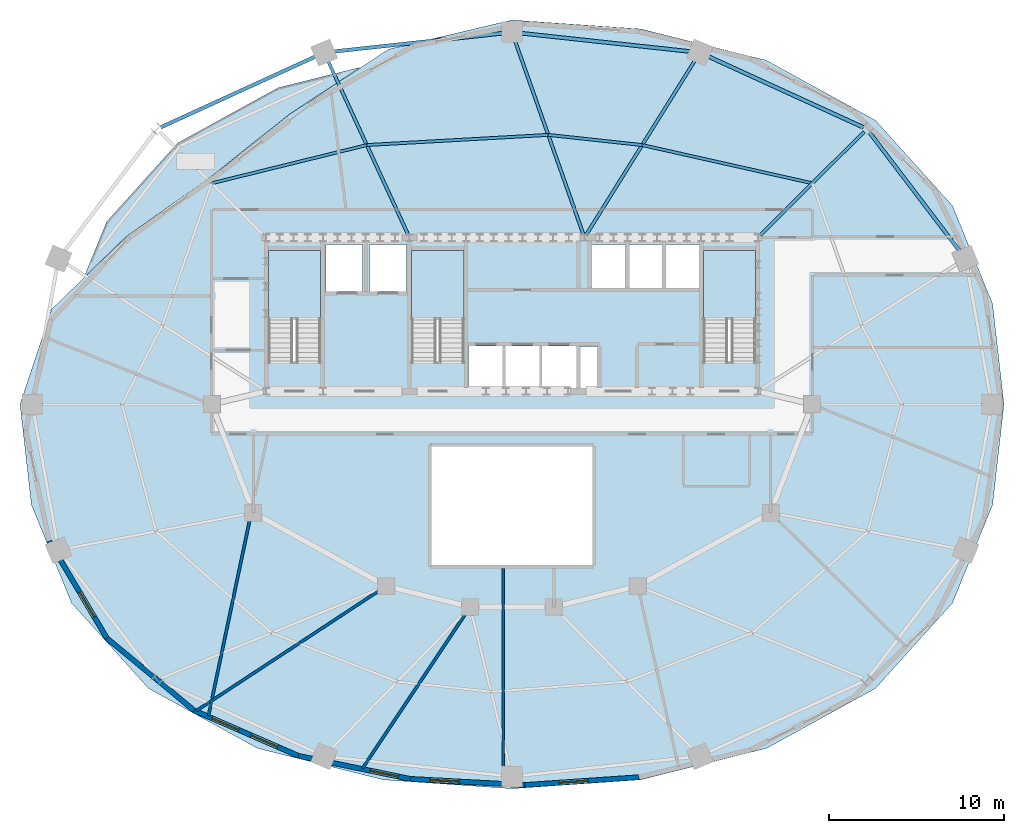
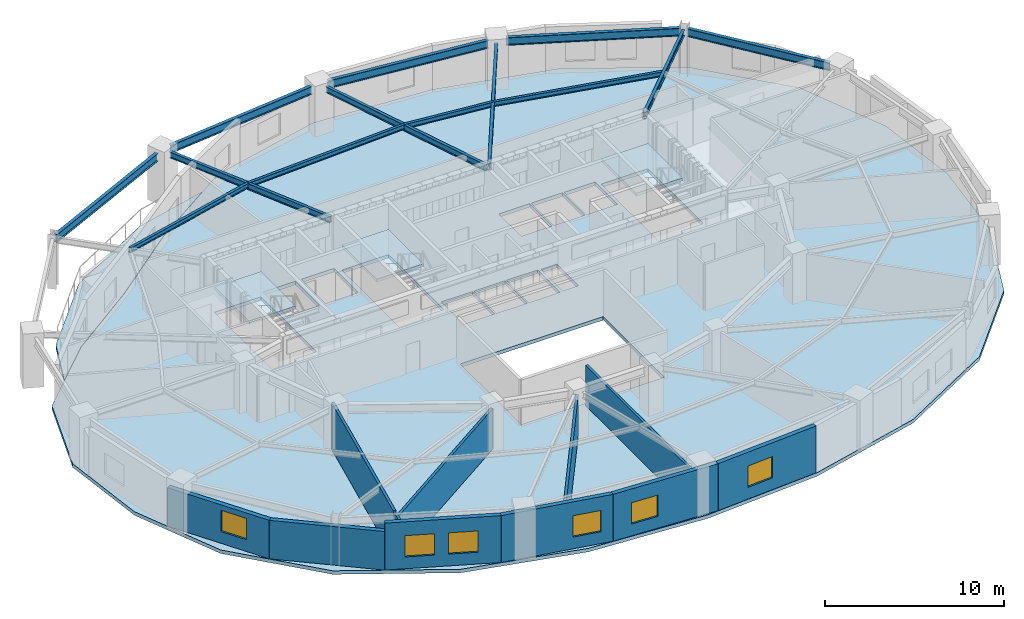
# One storey, part 3 of 10: 13 beams, 11 walls, 6 windows, 5 slabs, 6 openings, 3 elements without a shape of their own.
"""IFC4 building model written with IfcOpenShell, lengths in metres."""

import ifcopenshell
import ifcopenshell.guid

model = None  # the IFC model being written
_history = None  # IfcOwnerHistory: only IFC2X3 demands one
_inside = {}  # id of a spatial element -> (the spatial element, [elements in it])
_under = {}  # id of a project, library or spatial element -> (it, [spatial elements below it])
_declared = {}  # id of a project -> (the project, [libraries it declares])
_typed = {}  # id of a type object -> (the type object, [elements of that type])
_made_of = {}  # id of a material, layer set ... -> (it, [elements and type objects made of it])


def new_model(schema):
    """Start an empty IFC model of exactly this schema.

    Asked for "IFC4X3", IfcOpenShell would pick the latest addendum, in which some entities
    have other attributes; the version numbers below select the first issue.
    IFC2X3 requires an IfcOwnerHistory on every rooted entity: one is made here for all.
    """
    global model, _history
    if schema == "IFC4X3":
        model = ifcopenshell.file(schema_version=(4, 3, 0, 0))
    else:
        model = ifcopenshell.file(schema=schema)
    _inside.clear()
    _under.clear()
    _declared.clear()
    _typed.clear()
    _made_of.clear()
    _history = None
    if model.schema == "IFC2X3":
        org = make("IfcOrganization", Name="unknown")
        user = make(
            "IfcPersonAndOrganization",
            ThePerson=make("IfcPerson", FamilyName="unknown"),
            TheOrganization=org,
        )
        app = make(
            "IfcApplication",
            ApplicationDeveloper=org,
            Version="unknown",
            ApplicationFullName="unknown",
            ApplicationIdentifier="unknown",
        )
        _history = make(
            "IfcOwnerHistory",
            OwningUser=user,
            OwningApplication=app,
            ChangeAction="ADDED",
            CreationDate=0,
        )
    return model


def make(cls, **values):
    """One entity of the class cls with the attributes given. An attribute that is None is left unset."""
    return model.create_entity(
        cls, **{name: value for name, value in values.items() if value is not None}
    )


def rooted(cls, **values):
    """An entity with a GlobalId (a new one), such as an element, a storey or a relation."""
    return make(cls, GlobalId=ifcopenshell.guid.new(), OwnerHistory=_history, **values)


def si_unit(unit_type, name, prefix=None):
    """IfcSIUnit, for example si_unit("LENGTHUNIT", "METRE", prefix="MILLI")."""
    return make("IfcSIUnit", UnitType=unit_type, Prefix=prefix, Name=name)


def assignment(units):
    """IfcUnitAssignment: the units of a project."""
    return None if units is None else make("IfcUnitAssignment", Units=units)


def point(xyz):
    """IfcCartesianPoint."""
    return None if xyz is None else make("IfcCartesianPoint", Coordinates=xyz)


def direction(xyz):
    """IfcDirection."""
    return None if xyz is None else make("IfcDirection", DirectionRatios=xyz)


def frame(location, z_axis=None, x_axis=None):
    """IfcAxis2Placement3D, a coordinate frame: its origin and axes. An axis left out is left unset."""
    return make(
        "IfcAxis2Placement3D",
        Location=point(location),
        Axis=direction(z_axis),
        RefDirection=direction(x_axis),
    )


def frame_2d(location, x_axis=None):
    """IfcAxis2Placement2D, a coordinate frame in the plane: its origin and x axis."""
    return make(
        "IfcAxis2Placement2D", Location=point(location), RefDirection=direction(x_axis)
    )


def origin():
    """The frame at (0, 0, 0) with its axes left unset."""
    return frame((0.0, 0.0, 0.0))


def origin_2d():
    """The frame at (0, 0) in the plane with its x axis left unset."""
    return frame_2d((0.0, 0.0))


def place(relative_to, where):
    """IfcLocalPlacement: puts the frame where relative to a parent placement (None: the world)."""
    return make(
        "IfcLocalPlacement", PlacementRelTo=relative_to, RelativePlacement=where
    )


def context(
    kind, dimensions, precision=None, world=None, true_north=None, identifier=None
):
    """IfcGeometricRepresentationContext, for example the 3D "Model" context."""
    return make(
        "IfcGeometricRepresentationContext",
        ContextIdentifier=identifier,
        ContextType=kind,
        CoordinateSpaceDimension=dimensions,
        Precision=precision,
        WorldCoordinateSystem=world,
        TrueNorth=true_north,
    )


def subcontext(parent, identifier, kind, view, scale=None):
    """IfcGeometricRepresentationSubContext, for example "Body" below "Model"."""
    return make(
        "IfcGeometricRepresentationSubContext",
        ContextIdentifier=identifier,
        ContextType=kind,
        ParentContext=parent,
        TargetScale=scale,
        TargetView=view,
    )


def project(units=None, contexts=None):
    """IfcProject with its units and contexts."""
    return rooted(
        "IfcProject",
        Name="project",
        RepresentationContexts=contexts,
        UnitsInContext=assignment(units),
    )


def spatial(cls, under=None, at=None, **own):
    """A site, building, storey or space (cls), placed at a placement, below another one or the project."""
    s = rooted(cls, ObjectPlacement=at, **own)
    if under is not None:
        _under.setdefault(under.id(), (under, []))[1].append(s)
    return s


def polyline(points):
    """IfcPolyline through the points."""
    return make("IfcPolyline", Points=[point(p) for p in points])


def profile(cls, at=None, kind="AREA", **sizes):
    """A parametric profile (cls). Its sizes go by their IFC names, for example OverallWidth=200.0."""
    return make(cls, ProfileType=kind, Position=at, **sizes)


def rectangle(**sizes):
    """IfcRectangleProfileDef."""
    return profile("IfcRectangleProfileDef", **sizes)


def i_section(**sizes):
    """IfcIShapeProfileDef."""
    return profile("IfcIShapeProfileDef", **sizes)


def outline(outer, holes=None, kind="AREA"):
    """IfcArbitraryClosedProfileDef: a profile drawn as a closed curve; with holes, ...WithVoids."""
    if holes is None:
        return make("IfcArbitraryClosedProfileDef", ProfileType=kind, OuterCurve=outer)
    return make(
        "IfcArbitraryProfileDefWithVoids",
        ProfileType=kind,
        OuterCurve=outer,
        InnerCurves=holes,
    )


def extrude(swept, where, along, depth):
    """IfcExtrudedAreaSolid: the profile swept, set in the frame where, extruded along a direction by depth."""
    return make(
        "IfcExtrudedAreaSolid",
        SweptArea=swept,
        Position=where,
        ExtrudedDirection=direction(along),
        Depth=depth,
    )


def shape(context_of_items, identifier, shape_type, items):
    """IfcShapeRepresentation: the items that make up one representation, for example the "Body"."""
    return make(
        "IfcShapeRepresentation",
        ContextOfItems=context_of_items,
        RepresentationIdentifier=identifier,
        RepresentationType=shape_type,
        Items=items,
    )


def material(Name=None, Category=None):
    """IfcMaterial."""
    return make("IfcMaterial", Name=Name, Category=Category)


def layer(
    of_material, thickness, ventilated=None, Name=None, Category=None, Priority=None
):
    """IfcMaterialLayer: one layer of a wall or slab, of a material (None: an air gap)."""
    return make(
        "IfcMaterialLayer",
        Material=of_material,
        LayerThickness=thickness,
        IsVentilated=ventilated,
        Name=Name,
        Category=Category,
        Priority=Priority,
    )


def layer_set(layers, Name=None):
    """IfcMaterialLayerSet."""
    return make("IfcMaterialLayerSet", MaterialLayers=layers, LayerSetName=Name)


def material_profile(
    of_material, cross_section, Name=None, Category=None, Priority=None
):
    """IfcMaterialProfile: a cross section and its material."""
    return make(
        "IfcMaterialProfile",
        Name=Name,
        Material=of_material,
        Profile=cross_section,
        Priority=Priority,
        Category=Category,
    )


def profile_set(profiles, Name=None, composite=None):
    """IfcMaterialProfileSet."""
    return make(
        "IfcMaterialProfileSet",
        Name=Name,
        MaterialProfiles=profiles,
        CompositeProfile=composite,
    )


def made_of(thing, what):
    """Note that an element or type object is made of a material, layer set ...; save() writes the relation."""
    if what is not None:
        _made_of.setdefault(what.id(), (what, []))[1].append(thing)
    return thing


def type_object(cls, material=None, **own):
    """A type object (cls), such as IfcWallType, which elements share."""
    return made_of(rooted(cls, **own), material)


def element(
    cls,
    number,
    at=None,
    inside=None,
    cuts=None,
    type_object=None,
    material=None,
    context=None,
    identifier="Body",
    shape_type=None,
    held_by="IfcProductDefinitionShape",
    body=None,
    shapes=None,
    **own,
):
    """One element of the class cls, such as IfcWall. Its Tag is "e" and its number.

    at: its placement. inside: the storey or other place that contains it. cuts: it is an
    opening in that element (IfcRelVoidsElement). A single representation is given by context,
    identifier, shape_type and body (its items); several are given by shapes. held_by: the class
    of the entity that holds the representations. save() writes the other relations.
    """
    e = rooted(cls, Tag="e%d" % number, ObjectPlacement=at, **own)
    if body is not None:
        shapes = [shape(context, identifier, shape_type, body)]
    if shapes is not None:
        e.Representation = make(held_by, Representations=shapes)
    if inside is not None:
        _inside.setdefault(inside.id(), (inside, []))[1].append(e)
    if cuts is not None:
        rooted(
            "IfcRelVoidsElement", RelatingBuildingElement=cuts, RelatedOpeningElement=e
        )
    if type_object is not None:
        _typed.setdefault(type_object.id(), (type_object, []))[1].append(e)
    return made_of(e, material)


def fill(opening, filler):
    """IfcRelFillsElement: the door or window that sits in an opening."""
    return rooted(
        "IfcRelFillsElement",
        RelatingOpeningElement=opening,
        RelatedBuildingElement=filler,
    )


def aggregate(whole, parts):
    """IfcRelAggregates: a whole, such as a stair, and the parts it consists of."""
    return rooted("IfcRelAggregates", RelatingObject=whole, RelatedObjects=parts)


def save(model, path):
    """Write the relations noted so far, then the file.

    IfcRelAggregates (storeys below a building ...), IfcRelContainedInSpatialStructure (elements
    in a storey), IfcRelDefinesByType, IfcRelAssociatesMaterial and IfcRelDeclares: one each for
    every whole, place, type object, material and project.
    """
    for whole, parts in _under.values():
        aggregate(whole, parts)
    for where, things in _inside.values():
        rooted(
            "IfcRelContainedInSpatialStructure",
            RelatedElements=things,
            RelatingStructure=where,
        )
    for kind, things in _typed.values():
        rooted("IfcRelDefinesByType", RelatedObjects=things, RelatingType=kind)
    for what, things in _made_of.values():
        rooted("IfcRelAssociatesMaterial", RelatedObjects=things, RelatingMaterial=what)
    for by, libraries in _declared.values():
        rooted("IfcRelDeclares", RelatingContext=by, RelatedDefinitions=libraries)
    model.write(path)


model = new_model("IFC4")

# Units and contexts
model_context = context("Model", 3, precision=1e-05, world=origin(), true_north=direction((0.0, 1.0)))
body_context = subcontext(model_context, "Body", "Model", "MODEL_VIEW")
ifc_project = project(units=[si_unit("LENGTHUNIT", "METRE"), si_unit("AREAUNIT", "SQUARE_METRE"), si_unit("VOLUMEUNIT", "CUBIC_METRE"), si_unit("PLANEANGLEUNIT", "RADIAN"), si_unit("MASSUNIT", "GRAM", prefix="KILO")], contexts=[model_context])

# Site, building, storey
site_placement = place(None, origin())
site = spatial("IfcSite", under=ifc_project, at=site_placement, CompositionType="ELEMENT")
building_placement = place(site_placement, origin())
building = spatial("IfcBuilding", under=site, at=building_placement, Name="Haldorwick Loom Tower", CompositionType="ELEMENT")
storey_placement = place(building_placement, frame((0.0, 0.0, 185.5)))
storey = spatial("IfcBuildingStorey", under=building, at=storey_placement, Name="L50", CompositionType="ELEMENT", Elevation=185.5)

# Beams
ifc_material_1 = material(Name="Steel CSA G40.21 350W", Category="steel")
ifc_material_profile_1 = material_profile(ifc_material_1, i_section(OverallWidth=0.166015625, OverallDepth=0.31298828125, WebThickness=0.006591796875, FlangeThickness=0.01123046875, at=origin_2d()), Name="W310X45", Category="steel")
ifc_profile_set_1 = profile_set([ifc_material_profile_1], Name="Steel CSA G40.21 350W")
beam_type_1 = type_object("IfcBeamType", Name="STR-BM-J310", PredefinedType="JOIST", material=ifc_profile_set_1)
beam_1_placement = place(storey_placement, frame((53.19384765625, 38.657470703125, 3.033447265625), z_axis=(-0.975700785876, 0.219107225898, 0.0), x_axis=(-0.219107225898, -0.975700785876, 0.0)))
element("IfcBeam", 1, at=beam_1_placement, inside=storey, type_object=beam_type_1, Name="L50 Mid-Bay Secondary Joist 3", PredefinedType="JOIST", context=body_context, shape_type="SweptSolid", body=[
    extrude(i_section(OverallWidth=0.166015625, OverallDepth=0.31298828125, WebThickness=0.006591796875, FlangeThickness=0.01123046875, at=origin_2d()), origin(), (0.0, 0.0, 1.0), 9.98486328125),
])
beam_2_placement = place(storey_placement, frame((43.45166015625, 40.84521484375, 3.033447265625), z_axis=(-0.994187082722, 0.107666357549, 0.0), x_axis=(-0.107666357549, -0.994187082722, 0.0)))
element("IfcBeam", 2, at=beam_2_placement, inside=storey, type_object=beam_type_1, Name="L50 Mid-Bay Secondary Joist 4", PredefinedType="JOIST", context=body_context, shape_type="SweptSolid", body=[
    extrude(i_section(OverallWidth=0.166015625, OverallDepth=0.31298828125, WebThickness=0.006591796875, FlangeThickness=0.01123046875, at=origin_2d()), origin(), (0.0, 0.0, 1.0), 5.408203125),
])
beam_3_placement = place(storey_placement, frame((38.074951171875, 41.427490234375, 3.033447265625), z_axis=(-0.998432354117, -0.05597172726, 0.0), x_axis=(0.05597172726, -0.998432354117, 0.0)))
element("IfcBeam", 3, at=beam_3_placement, inside=storey, type_object=beam_type_1, Name="L50 Mid-Bay Secondary Joist 5", PredefinedType="JOIST", context=body_context, shape_type="SweptSolid", body=[
    extrude(i_section(OverallWidth=0.166015625, OverallDepth=0.31298828125, WebThickness=0.006591796875, FlangeThickness=0.01123046875, at=origin_2d()), origin(), (0.0, 0.0, 1.0), 10.403076171875),
])
beam_4_placement = place(storey_placement, frame((27.688232421875, 40.84521484375, 3.033447265625), z_axis=(-0.970979703726, -0.239161901132, 0.0), x_axis=(0.239161901132, -0.970979703726, 0.0)))
element("IfcBeam", 4, at=beam_4_placement, inside=storey, type_object=beam_type_1, Name="L50 Mid-Bay Secondary Joist 6", PredefinedType="JOIST", context=body_context, shape_type="SweptSolid", body=[
    extrude(i_section(OverallWidth=0.166015625, OverallDepth=0.31298828125, WebThickness=0.006591796875, FlangeThickness=0.01123046875, at=origin_2d()), origin(), (0.0, 0.0, 1.0), 9.1474609375),
])
ifc_material_profile_2 = material_profile(ifc_material_1, i_section(OverallWidth=0.179931640625, OverallDepth=0.4130859375, WebThickness=0.009765625, FlangeThickness=0.01611328125, at=origin_2d()), Name="W410X74", Category="steel")
ifc_profile_set_2 = profile_set([ifc_material_profile_2], Name="Steel CSA G40.21 350W")
beam_type_2 = type_object("IfcBeamType", Name="STR-BM-J410", PredefinedType="JOIST", material=ifc_profile_set_2)
beam_5_placement = place(storey_placement, frame((50.1962890625, 35.675537109375, 2.9833984375), z_axis=(0.708962390492, 0.70524628951, 0.0), x_axis=(-0.70524628951, 0.708962390492, 0.0)))
element("IfcBeam", 5, at=beam_5_placement, inside=storey, type_object=beam_type_2, Name="L50 Radial Floor Girder 3", PredefinedType="JOIST", context=body_context, shape_type="SweptSolid", body=[
    extrude(i_section(OverallWidth=0.179931640625, OverallDepth=0.4130859375, WebThickness=0.009765625, FlangeThickness=0.01611328125, at=origin_2d()), origin(), (0.0, 0.0, 1.0), 8.409423828125),
])
beam_6_placement = place(storey_placement, frame((40.244140625, 35.700927734375, 2.9833984375), z_axis=(0.529095323143, 0.848562395483, 0.0), x_axis=(-0.848562395483, 0.529095323143, 0.0)))
element("IfcBeam", 6, at=beam_6_placement, inside=storey, type_object=beam_type_2, Name="L50 Radial Floor Girder 4", PredefinedType="JOIST", context=body_context, shape_type="SweptSolid", body=[
    extrude(i_section(OverallWidth=0.179931640625, OverallDepth=0.4130859375, WebThickness=0.009765625, FlangeThickness=0.01611328125, at=origin_2d()), origin(), (0.0, 0.0, 1.0), 11.78271484375),
])
beam_7_placement = place(storey_placement, frame((40.0908203125, 35.7177734375, 2.9833984375), z_axis=(-0.332908014691, 0.942959306521, 0.0), x_axis=(-0.942959306521, -0.332908014691, 0.0)))
element("IfcBeam", 7, at=beam_7_placement, inside=storey, type_object=beam_type_2, Name="L50 Radial Floor Girder 5", PredefinedType="JOIST", context=body_context, shape_type="SweptSolid", body=[
    extrude(i_section(OverallWidth=0.179931640625, OverallDepth=0.4130859375, WebThickness=0.009765625, FlangeThickness=0.01611328125, at=origin_2d()), origin(), (0.0, 0.0, 1.0), 11.768310546875),
])
beam_8_placement = place(storey_placement, frame((30.055419921875, 35.711669921875, 2.9833984375), z_axis=(-0.418729142855, 0.908111174319, 0.0), x_axis=(-0.908111174319, -0.418729142855, 0.0)))
element("IfcBeam", 8, at=beam_8_placement, inside=storey, type_object=beam_type_2, Name="L50 Radial Floor Girder 6", PredefinedType="JOIST", context=body_context, shape_type="SweptSolid", body=[
    extrude(i_section(OverallWidth=0.179931640625, OverallDepth=0.4130859375, WebThickness=0.009765625, FlangeThickness=0.01611328125, at=origin_2d()), origin(), (0.0, 0.0, 1.0), 10.96435546875),
])
ifc_material_profile_3 = material_profile(ifc_material_1, i_section(OverallWidth=0.2119140625, OverallDepth=0.5439453125, WebThickness=0.01318359375, FlangeThickness=0.021240234375, at=origin_2d()), Name="W530X123", Category="steel")
ifc_profile_set_3 = profile_set([ifc_material_profile_3], Name="Steel CSA G40.21 350W")
beam_type_3 = type_object("IfcBeamType", Name="STR-BM-SP530", PredefinedType="SPANDREL", material=ifc_profile_set_3)
beam_9_placement = place(storey_placement, frame((61.646240234375, 34.75634765625, 2.91796875), z_axis=(-0.605236944797, 0.796045376001, 0.0), x_axis=(-0.796045376001, -0.605236944797, 0.0)))
element("IfcBeam", 9, at=beam_9_placement, inside=storey, type_object=beam_type_3, Name="L50 Perimeter Spandrel 2", PredefinedType="SPANDREL", context=body_context, shape_type="SweptSolid", body=[
    extrude(i_section(OverallWidth=0.2119140625, OverallDepth=0.5439453125, WebThickness=0.01318359375, FlangeThickness=0.021240234375, at=origin_2d()), origin(), (0.0, 0.0, 1.0), 8.5791015625),
])
beam_10_placement = place(storey_placement, frame((56.113037109375, 41.8583984375, 2.91796875), z_axis=(-0.909342182232, 0.416049030299, 0.0), x_axis=(-0.416049030299, -0.909342182232, 0.0)))
element("IfcBeam", 10, at=beam_10_placement, inside=storey, type_object=beam_type_3, Name="L50 Perimeter Spandrel 3", PredefinedType="SPANDREL", context=body_context, shape_type="SweptSolid", body=[
    extrude(i_section(OverallWidth=0.2119140625, OverallDepth=0.5439453125, WebThickness=0.01318359375, FlangeThickness=0.021240234375, at=origin_2d()), origin(), (0.0, 0.0, 1.0), 9.772705078125),
])
for number, where, z_axis, x_axis, name in (
    (11, (46.236328125, 46.196533203125, 2.91796875), (-0.994187774205, 0.107659972233, 0.0), (-0.107659972233, -0.994187774205, 0.0), "L50 Perimeter Spandrel 4"),
    (12, (35.48291015625, 47.2490234375, 2.91796875), (-0.994187774205, -0.107659972233, 0.0), (0.107659972233, -0.994187774205, 0.0), "L50 Perimeter Spandrel 5"),
):
    element("IfcBeam", number, at=place(storey_placement, frame(where, z_axis=z_axis, x_axis=x_axis)), inside=storey, type_object=beam_type_3, Name=name, PredefinedType="SPANDREL", context=body_context, shape_type="SweptSolid", body=[
        extrude(i_section(OverallWidth=0.2119140625, OverallDepth=0.5439453125, WebThickness=0.01318359375, FlangeThickness=0.021240234375, at=origin_2d()), origin(), (0.0, 0.0, 1.0), 9.776123046875),
    ])
beam_11_placement = place(storey_placement, frame((24.773681640625, 45.92431640625, 2.91796875), z_axis=(-0.909342182232, -0.416049030299, 0.0), x_axis=(0.416049030299, -0.909342182232, 0.0)))
element("IfcBeam", 13, at=beam_11_placement, inside=storey, type_object=beam_type_3, Name="L50 Perimeter Spandrel 6", PredefinedType="SPANDREL", context=body_context, shape_type="SweptSolid", body=[
    extrude(i_section(OverallWidth=0.2119140625, OverallDepth=0.5439453125, WebThickness=0.01318359375, FlangeThickness=0.021240234375, at=origin_2d()), origin(), (0.0, 0.0, 1.0), 9.772705078125),
])

# Stair, slab
ifc_material_2 = material(Name="Concrete C40 (40 MPa)", Category="concrete")
stair_type = type_object("IfcStairType", Name="STR-STR-CORE", PredefinedType="HALF_TURN_STAIR", material=ifc_material_2)
stair_1_placement = place(storey_placement, origin())
stair_1 = element("IfcStair", 14, at=stair_1_placement, inside=storey, type_object=stair_type, Name="L50 Exit Stair ST-01", PredefinedType="HALF_TURN_STAIR")
ifc_layer_1 = layer(ifc_material_2, 0.199951171875, Name="Concrete C40 (40 MPa)", Category="concrete")
ifc_layer_set_1 = layer_set([ifc_layer_1], Name="Concrete C40 (40 MPa)")
slab_type_1 = type_object("IfcSlabType", Name="STR-SLB-LAND200", PredefinedType="LANDING", material=ifc_layer_set_1)
slab_1_placement = place(storey_placement, frame((0.0, 0.0, 1.52490234375)))
slab_1 = element("IfcSlab", 15, at=slab_1_placement, type_object=slab_type_1, Name="ST-01 landing 1", PredefinedType="LANDING", context=body_context, shape_type="SweptSolid", body=[
    extrude(outline(polyline([(25.050048828125, 30.919921875), (25.050048828125, 34.800048828125), (22.050048828125, 34.800048828125), (22.050048828125, 30.919921875), (25.050048828125, 30.919921875)])), origin(), (0.0, 0.0, 1.0), 0.2001953125),
])
aggregate(stair_1, [slab_1])

stair_2_placement = place(storey_placement, origin())
stair_2 = element("IfcStair", 16, at=stair_2_placement, inside=storey, type_object=stair_type, Name="L50 Exit Stair ST-02", PredefinedType="HALF_TURN_STAIR")
slab_2_placement = place(storey_placement, frame((0.0, 0.0, 1.52490234375)))
slab_2 = element("IfcSlab", 17, at=slab_2_placement, type_object=slab_type_1, Name="ST-02 landing 1", PredefinedType="LANDING", context=body_context, shape_type="SweptSolid", body=[
    extrude(outline(polyline([(49.949951171875, 30.919921875), (49.949951171875, 34.800048828125), (46.949951171875, 34.800048828125), (46.949951171875, 30.919921875), (49.949951171875, 30.919921875)])), origin(), (0.0, 0.0, 1.0), 0.2001953125),
])
aggregate(stair_2, [slab_2])

stair_3_placement = place(storey_placement, origin())
stair_3 = element("IfcStair", 18, at=stair_3_placement, inside=storey, type_object=stair_type, Name="L50 Exit Stair ST-03", PredefinedType="HALF_TURN_STAIR")
slab_3_placement = place(storey_placement, frame((0.0, 0.0, 1.52490234375)))
slab_3 = element("IfcSlab", 19, at=slab_3_placement, type_object=slab_type_1, Name="ST-03 landing 1", PredefinedType="LANDING", context=body_context, shape_type="SweptSolid", body=[
    extrude(outline(polyline([(33.25, 30.919921875), (33.25, 34.800048828125), (30.25, 34.800048828125), (30.25, 30.919921875), (33.25, 30.919921875)])), origin(), (0.0, 0.0, 1.0), 0.2001953125),
])
aggregate(stair_3, [slab_3])

# Slabs
ifc_layer_2 = layer(ifc_material_2, 0.239990234375, Name="Concrete C40 (40 MPa)", Category="concrete")
ifc_layer_set_2 = layer_set([ifc_layer_2], Name="Concrete C40 (40 MPa)")
slab_type_2 = type_object("IfcSlabType", Name="STR-SLB-RES240", PredefinedType="FLOOR", material=ifc_layer_set_2)
slab_4_placement = place(storey_placement, frame((0.0, 0.0, -0.239990234375)))
element("IfcSlab", 20, at=slab_4_placement, inside=storey, type_object=slab_type_2, Name="L50 Residential Structural Floor Slab", PredefinedType="FLOOR", context=body_context, shape_type="SweptSolid", body=[
    extrude(outline(polyline([(56.812744140625, 9.739990234375), (61.2158203125, 14.626220703125), (63.5126953125, 20.240478515625), (64.16650390625, 26.0), (63.5126953125, 31.759521484375), (61.2158203125, 37.373779296875), (56.812744140625, 42.260009765625), (50.558349609375, 45.699951171875), (43.3720703125, 47.494384765625), (36.0, 48.0048828125), (28.938720703125, 46.335205078125), (23.24169921875, 42.582275390625), (18.581298828125, 38.86572265625), (13.90185546875, 35.57373046875), (9.646484375, 31.44873046875), (7.83349609375, 26.0), (8.4873046875, 20.240478515625), (10.7841796875, 14.626220703125), (15.187255859375, 9.739990234375), (21.441650390625, 6.300048828125), (28.6279296875, 4.505615234375), (36.0, 3.9951171875), (43.3720703125, 4.505615234375), (50.558349609375, 6.300048828125), (56.812744140625, 9.739990234375)]), holes=[polyline([(31.39990234375, 16.800048828125), (31.39990234375, 23.60009765625), (40.60009765625, 23.60009765625), (40.60009765625, 16.800048828125), (31.39990234375, 16.800048828125)]), polyline([(33.5, 26.85009765625), (33.5, 29.35009765625), (35.5, 29.35009765625), (35.5, 26.85009765625), (33.5, 26.85009765625)]), polyline([(35.60009765625, 26.85009765625), (35.60009765625, 29.35009765625), (37.60009765625, 29.35009765625), (37.60009765625, 26.85009765625), (35.60009765625, 26.85009765625)]), polyline([(23.6201171875, 28.39990234375), (22.050048828125, 28.39990234375), (22.050048828125, 34.800048828125), (25.050048828125, 34.800048828125), (25.050048828125, 28.639892578125), (23.6201171875, 28.639892578125), (23.6201171875, 28.39990234375)]), polyline([(30.25, 28.39990234375), (30.25, 34.800048828125), (33.25, 34.800048828125), (33.25, 28.639892578125), (31.820068359375, 28.639892578125), (31.820068359375, 28.39990234375), (30.25, 28.39990234375)]), polyline([(25.35009765625, 32.449951171875), (25.35009765625, 35.14990234375), (27.449951171875, 35.14990234375), (27.449951171875, 32.449951171875), (25.35009765625, 32.449951171875)]), polyline([(29.949951171875, 32.449951171875), (27.85009765625, 32.449951171875), (27.85009765625, 35.14990234375), (29.949951171875, 35.14990234375), (29.949951171875, 32.449951171875)]), polyline([(37.699951171875, 26.85009765625), (37.699951171875, 29.35009765625), (39.699951171875, 29.35009765625), (39.699951171875, 26.85009765625), (37.699951171875, 26.85009765625)]), polyline([(39.89990234375, 26.89990234375), (39.89990234375, 29.300048828125), (40.89990234375, 29.300048828125), (40.89990234375, 26.89990234375), (39.89990234375, 26.89990234375)]), polyline([(46.949951171875, 28.39990234375), (46.949951171875, 34.800048828125), (49.949951171875, 34.800048828125), (49.949951171875, 28.639892578125), (48.52001953125, 28.639892578125), (48.52001953125, 28.39990234375), (46.949951171875, 28.39990234375)]), polyline([(40.550048828125, 32.64990234375), (40.550048828125, 35.14990234375), (42.550048828125, 35.14990234375), (42.550048828125, 32.64990234375), (40.550048828125, 32.64990234375)]), polyline([(42.64990234375, 32.64990234375), (42.64990234375, 35.14990234375), (44.64990234375, 35.14990234375), (44.64990234375, 32.64990234375), (42.64990234375, 32.64990234375)]), polyline([(44.75, 32.64990234375), (44.75, 35.14990234375), (46.75, 35.14990234375), (46.75, 32.64990234375), (44.75, 32.64990234375)])]), origin(), (0.0, 0.0, 1.0), 0.239990234375),
])
ifc_layer_3 = layer(ifc_material_2, 0.280029296875, Name="Concrete C40 (40 MPa)", Category="concrete")
ifc_layer_set_3 = layer_set([ifc_layer_3], Name="Concrete C40 (40 MPa)")
slab_type_3 = type_object("IfcSlabType", Name="STR-SLB-TERR280", PredefinedType="FLOOR", material=ifc_layer_set_3)
slab_5_placement = place(storey_placement, frame((0.0, 0.0, -0.239990234375)))
element("IfcSlab", 21, at=slab_5_placement, inside=storey, type_object=slab_type_3, Name="L50 Planted Setback Terrace Slab 1", PredefinedType="FLOOR", context=body_context, shape_type="SweptSolid", body=[
    extrude(outline(polyline([(11.51904296875, 33.338134765625), (11.518310546875, 33.33642578125), (11.517822265625, 33.33447265625), (11.517578125, 33.33251953125), (11.517578125, 33.33056640625), (11.517578125, 33.32861328125), (11.517822265625, 33.32666015625), (11.518310546875, 33.32470703125), (11.51904296875, 33.322998046875), (11.52001953125, 33.3212890625), (11.52099609375, 33.319580078125), (11.52197265625, 33.318115234375), (11.523193359375, 33.316650390625), (11.52490234375, 33.315185546875), (11.5263671875, 33.314208984375), (11.528076171875, 33.31298828125), (11.52978515625, 33.312255859375), (11.531494140625, 33.3115234375), (11.533447265625, 33.31103515625), (11.535400390625, 33.310791015625), (11.537353515625, 33.310546875), (11.539306640625, 33.310791015625), (11.541259765625, 33.31103515625), (11.543212890625, 33.311279296875), (11.544921875, 33.31201171875), (11.546630859375, 33.31298828125), (11.54833984375, 33.31396484375), (11.550048828125, 33.31494140625), (11.551513671875, 33.31640625), (13.89111328125, 35.584228515625), (13.8916015625, 35.584716796875), (13.891845703125, 35.5849609375), (13.892578125, 35.58544921875), (13.89306640625, 35.585693359375), (13.893310546875, 35.586181640625), (18.572021484375, 38.87744140625), (18.572998046875, 38.878173828125), (23.232177734375, 42.59375), (23.232421875, 42.593994140625), (23.233154296875, 42.594482421875), (23.2333984375, 42.594970703125), (27.257080078125, 45.245361328125), (27.258544921875, 45.24658203125), (27.260009765625, 45.247802734375), (27.261474609375, 45.249267578125), (27.262451171875, 45.250732421875), (27.263427734375, 45.25244140625), (27.264404296875, 45.254150390625), (27.26513671875, 45.256103515625), (27.265625, 45.2578125), (27.265869140625, 45.259765625), (27.26611328125, 45.26171875), (27.26611328125, 45.263671875), (27.265625, 45.265380859375), (27.265380859375, 45.267333984375), (27.2646484375, 45.269287109375), (27.263916015625, 45.27099609375), (27.262939453125, 45.272705078125), (27.261962890625, 45.2744140625), (27.260498046875, 45.27587890625), (27.25927734375, 45.277099609375), (27.2578125, 45.2783203125), (27.256103515625, 45.279296875), (27.25439453125, 45.2802734375), (27.252685546875, 45.281005859375), (27.250732421875, 45.281494140625), (27.248779296875, 45.281982421875), (27.246826171875, 45.281982421875), (27.2451171875, 45.281982421875), (27.2431640625, 45.281982421875), (27.2412109375, 45.281494140625), (22.606689453125, 44.12451171875), (22.605224609375, 44.1240234375), (22.603515625, 44.123291015625), (22.60205078125, 44.12255859375), (16.852294921875, 40.960693359375), (16.8505859375, 40.95947265625), (16.8486328125, 40.958251953125), (16.84716796875, 40.95654296875), (12.80029296875, 36.46630859375), (12.799072265625, 36.465087890625), (12.798095703125, 36.463623046875), (12.79736328125, 36.462158203125), (12.796630859375, 36.460693359375), (11.51904296875, 33.338134765625)])), origin(), (0.0, 0.0, 1.0), 0.239990234375),
])

# Wall, opening, window
ifc_material_3 = material(Name="Pressed Clay Face Brick and Insulated Masonry Backup Assembly", Category="masonry")
ifc_layer_4 = layer(ifc_material_3, 0.280029296875, Name="Pressed Clay Face Brick and Insulated Masonry Backup Assembly", Category="masonry")
ifc_layer_set_4 = layer_set([ifc_layer_4], Name="Pressed Clay Face Brick and Insulated Masonry Backup Assembly")
wall_type_1 = type_object("IfcWallType", Name="ARC-WL-EXT280", PredefinedType="STANDARD", material=ifc_layer_set_4)
wall_1_placement = place(storey_placement, frame((9.5048828125, 18.17333984375, 0.0), z_axis=(0.0, 0.0, 1.0), x_axis=(0.510980498552, -0.859592304584, 0.0)))
wall_1 = element("IfcWall", 22, at=wall_1_placement, inside=storey, type_object=wall_type_1, Name="L50 Brick Pier and Spandrel Wall 14", PredefinedType="STANDARD", context=body_context, shape_type="SweptSolid", body=[
    extrude(rectangle(XDim=6.47314453125, YDim=0.280029296875, at=frame_2d((3.236572265625, 0.0))), origin(), (0.0, 0.0, 1.0), 2.62109375),
])
opening_1_placement = place(wall_1_placement, frame((3.402099609375, 0.0, 0.800048828125)))
opening_1 = element("IfcOpeningElement", 23, at=opening_1_placement, cuts=wall_1, Name="Opening W-01B", PredefinedType="OPENING", context=body_context, shape_type="SweptSolid", body=[
    extrude(rectangle(XDim=1.64990234375, YDim=1.449951171875, at=frame_2d((0.824951171875, 0.72509765625))), frame((0.0, 0.14990234375, 0.0), z_axis=(0.0, -1.0, 0.0), x_axis=(1.0, 0.0, 0.0)), (0.0, 0.0, 1.0), 0.300048828125),
])
ifc_material_4 = material(Name="Triple-Glazed Low-E Argon Insulated Glazing Unit", Category="glass")
window_type = type_object("IfcWindowType", Name="ARC-WIN-W165", PartitioningType="SINGLE_PANEL", PredefinedType="WINDOW", material=ifc_material_4)
window_1_placement = place(opening_1_placement, origin())
window_1 = element("IfcWindow", 24, at=window_1_placement, inside=storey, type_object=window_type, Name="L50 Deep-Set Zone 7A Window 14", OverallHeight=1.449951171875, OverallWidth=1.64990234375, PartitioningType="SINGLE_PANEL", PredefinedType="WINDOW", context=body_context, shape_type="SweptSolid", body=[
    extrude(rectangle(XDim=1.64990234375, YDim=1.449951171875, at=frame_2d((0.824951171875, 0.72509765625))), frame((0.0, 0.030029296875, 0.0), z_axis=(0.0, -1.0, 0.0), x_axis=(1.0, 0.0, 0.0)), (0.0, 0.0, 1.0), 0.06005859375),
])
fill(opening_1, window_1)

# Wall
wall_2_placement = place(storey_placement, frame((12.8125, 12.609130859375, 0.0), z_axis=(0.0, 0.0, 1.0), x_axis=(0.77011465971, -0.637905487435, 0.0)))
element("IfcWall", 25, at=wall_2_placement, inside=storey, type_object=wall_type_1, Name="L50 Brick Pier and Spandrel Wall 15", PredefinedType="STANDARD", context=body_context, shape_type="SweptSolid", body=[
    extrude(rectangle(XDim=6.47802734375, YDim=0.280029296875, at=frame_2d((3.239013671875, 0.0))), origin(), (0.0, 0.0, 1.0), 2.62109375),
])

# Wall, openings, windows
wall_3_placement = place(storey_placement, frame((17.80126953125, 8.476806640625, 0.0), z_axis=(0.0, 0.0, 1.0), x_axis=(0.916823296328, -0.399293179645, 0.0)))
wall_3 = element("IfcWall", 26, at=wall_3_placement, inside=storey, type_object=wall_type_1, Name="L50 Brick Pier and Spandrel Wall 16", PredefinedType="STANDARD", context=body_context, shape_type="SweptSolid", body=[
    extrude(rectangle(XDim=6.5166015625, YDim=0.280029296875, at=frame_2d((3.25830078125, 0.0))), origin(), (0.0, 0.0, 1.0), 3.18994140625),
])
opening_2_placement = place(wall_3_placement, frame((1.1298828125, 0.0, 0.800048828125)))
opening_2 = element("IfcOpeningElement", 27, at=opening_2_placement, cuts=wall_3, Name="Opening W-01B", PredefinedType="OPENING", context=body_context, shape_type="SweptSolid", body=[
    extrude(rectangle(XDim=1.64990234375, YDim=1.449951171875, at=frame_2d((0.824951171875, 0.72509765625))), frame((0.0, 0.14990234375, 0.0), z_axis=(0.0, -1.0, 0.0), x_axis=(1.0, 0.0, 0.0)), (0.0, 0.0, 1.0), 0.300048828125),
])
opening_3_placement = place(wall_3_placement, frame((3.569580078125, 0.0, 0.800048828125)))
opening_3 = element("IfcOpeningElement", 28, at=opening_3_placement, cuts=wall_3, Name="Opening W-01B", PredefinedType="OPENING", context=body_context, shape_type="SweptSolid", body=[
    extrude(rectangle(XDim=1.64990234375, YDim=1.449951171875, at=frame_2d((0.824951171875, 0.72509765625))), frame((0.0, 0.14990234375, 0.0), z_axis=(0.0, -1.0, 0.0), x_axis=(1.0, 0.0, 0.0)), (0.0, 0.0, 1.0), 0.300048828125),
])
window_2_placement = place(opening_2_placement, origin())
window_2 = element("IfcWindow", 29, at=window_2_placement, inside=storey, type_object=window_type, Name="L50 Deep-Set Zone 7A Window 16", OverallHeight=1.449951171875, OverallWidth=1.64990234375, PartitioningType="SINGLE_PANEL", PredefinedType="WINDOW", context=body_context, shape_type="SweptSolid", body=[
    extrude(rectangle(XDim=1.64990234375, YDim=1.449951171875, at=frame_2d((0.824951171875, 0.72509765625))), frame((0.0, 0.030029296875, 0.0), z_axis=(0.0, -1.0, 0.0), x_axis=(1.0, 0.0, 0.0)), (0.0, 0.0, 1.0), 0.06005859375),
])
fill(opening_2, window_2)
window_3_placement = place(opening_3_placement, origin())
window_3 = element("IfcWindow", 30, at=window_3_placement, inside=storey, type_object=window_type, Name="L50 Deep-Set Zone 7A Window 16", OverallHeight=1.449951171875, OverallWidth=1.64990234375, PartitioningType="SINGLE_PANEL", PredefinedType="WINDOW", context=body_context, shape_type="SweptSolid", body=[
    extrude(rectangle(XDim=1.64990234375, YDim=1.449951171875, at=frame_2d((0.824951171875, 0.72509765625))), frame((0.0, 0.030029296875, 0.0), z_axis=(0.0, -1.0, 0.0), x_axis=(1.0, 0.0, 0.0)), (0.0, 0.0, 1.0), 0.06005859375),
])
fill(opening_3, window_3)

# Wall, opening, window
wall_4_placement = place(storey_placement, frame((23.77587890625, 5.874755859375, 0.0), z_axis=(0.0, 0.0, 1.0), x_axis=(0.979460293831, -0.201637131524, 0.0)))
wall_4 = element("IfcWall", 31, at=wall_4_placement, inside=storey, type_object=wall_type_1, Name="L50 Brick Pier and Spandrel Wall 17", PredefinedType="STANDARD", context=body_context, shape_type="SweptSolid", body=[
    extrude(rectangle(XDim=6.54443359375, YDim=0.280029296875, at=frame_2d((3.272216796875, 0.0))), origin(), (0.0, 0.0, 1.0), 3.18994140625),
])
opening_4_placement = place(wall_4_placement, frame((4.193115234375, 0.0, 0.800048828125)))
opening_4 = element("IfcOpeningElement", 32, at=opening_4_placement, cuts=wall_4, Name="Opening W-01B", PredefinedType="OPENING", context=body_context, shape_type="SweptSolid", body=[
    extrude(rectangle(XDim=1.64990234375, YDim=1.449951171875, at=frame_2d((0.824951171875, 0.72509765625))), frame((0.0, 0.14990234375, 0.0), z_axis=(0.0, -1.0, 0.0), x_axis=(1.0, 0.0, 0.0)), (0.0, 0.0, 1.0), 0.300048828125),
])
window_4_placement = place(opening_4_placement, origin())
window_4 = element("IfcWindow", 33, at=window_4_placement, inside=storey, type_object=window_type, Name="L50 Deep-Set Zone 7A Window 17", OverallHeight=1.449951171875, OverallWidth=1.64990234375, PartitioningType="SINGLE_PANEL", PredefinedType="WINDOW", context=body_context, shape_type="SweptSolid", body=[
    extrude(rectangle(XDim=1.64990234375, YDim=1.449951171875, at=frame_2d((0.824951171875, 0.72509765625))), frame((0.0, 0.030029296875, 0.0), z_axis=(0.0, -1.0, 0.0), x_axis=(1.0, 0.0, 0.0)), (0.0, 0.0, 1.0), 0.06005859375),
])
fill(opening_4, window_4)

wall_5_placement = place(storey_placement, frame((30.185791015625, 4.55517578125, 0.0), z_axis=(0.0, 0.0, 1.0), x_axis=(0.998577711957, -0.053315599799, 0.0)))
wall_5 = element("IfcWall", 34, at=wall_5_placement, inside=storey, type_object=wall_type_1, Name="L50 Brick Pier and Spandrel Wall 18", PredefinedType="STANDARD", context=body_context, shape_type="SweptSolid", body=[
    extrude(rectangle(XDim=6.552734375, YDim=0.280029296875, at=frame_2d((3.2763671875, 0.0))), origin(), (0.0, 0.0, 1.0), 3.18994140625),
])
opening_5_placement = place(wall_5_placement, frame((1.140869140625, 0.0, 0.800048828125)))
opening_5 = element("IfcOpeningElement", 35, at=opening_5_placement, cuts=wall_5, Name="Opening W-01B", PredefinedType="OPENING", context=body_context, shape_type="SweptSolid", body=[
    extrude(rectangle(XDim=1.64990234375, YDim=1.449951171875, at=frame_2d((0.824951171875, 0.72509765625))), frame((0.0, 0.14990234375, 0.0), z_axis=(0.0, -1.0, 0.0), x_axis=(1.0, 0.0, 0.0)), (0.0, 0.0, 1.0), 0.300048828125),
])
window_5_placement = place(opening_5_placement, origin())
window_5 = element("IfcWindow", 36, at=window_5_placement, inside=storey, type_object=window_type, Name="L50 Deep-Set Zone 7A Window 18", OverallHeight=1.449951171875, OverallWidth=1.64990234375, PartitioningType="SINGLE_PANEL", PredefinedType="WINDOW", context=body_context, shape_type="SweptSolid", body=[
    extrude(rectangle(XDim=1.64990234375, YDim=1.449951171875, at=frame_2d((0.824951171875, 0.72509765625))), frame((0.0, 0.030029296875, 0.0), z_axis=(0.0, -1.0, 0.0), x_axis=(1.0, 0.0, 0.0)), (0.0, 0.0, 1.0), 0.06005859375),
])
fill(opening_5, window_5)

wall_6_placement = place(storey_placement, frame((36.729248046875, 4.205810546875, 0.0), z_axis=(0.0, 0.0, 1.0), x_axis=(0.997664997633, 0.068297529217, 0.0)))
wall_6 = element("IfcWall", 37, at=wall_6_placement, inside=storey, type_object=wall_type_1, Name="L50 Brick Pier and Spandrel Wall 19", PredefinedType="STANDARD", context=body_context, shape_type="SweptSolid", body=[
    extrude(rectangle(XDim=6.5595703125, YDim=0.280029296875, at=frame_2d((3.27978515625, 0.0))), origin(), (0.0, 0.0, 1.0), 3.18994140625),
])
opening_6_placement = place(wall_6_placement, frame((1.971435546875, 0.0, 0.800048828125)))
opening_6 = element("IfcOpeningElement", 38, at=opening_6_placement, cuts=wall_6, Name="Opening W-01B", PredefinedType="OPENING", context=body_context, shape_type="SweptSolid", body=[
    extrude(rectangle(XDim=1.64990234375, YDim=1.449951171875, at=frame_2d((0.824951171875, 0.72509765625))), frame((0.0, 0.14990234375, 0.0), z_axis=(0.0, -1.0, 0.0), x_axis=(1.0, 0.0, 0.0)), (0.0, 0.0, 1.0), 0.300048828125),
])
window_6_placement = place(opening_6_placement, origin())
window_6 = element("IfcWindow", 39, at=window_6_placement, inside=storey, type_object=window_type, Name="L50 Deep-Set Zone 7A Window 19", OverallHeight=1.449951171875, OverallWidth=1.64990234375, PartitioningType="SINGLE_PANEL", PredefinedType="WINDOW", context=body_context, shape_type="SweptSolid", body=[
    extrude(rectangle(XDim=1.64990234375, YDim=1.449951171875, at=frame_2d((0.824951171875, 0.72509765625))), frame((0.0, 0.030029296875, 0.0), z_axis=(0.0, -1.0, 0.0), x_axis=(1.0, 0.0, 0.0)), (0.0, 0.0, 1.0), 0.06005859375),
])
fill(opening_6, window_6)

# Walls
ifc_material_5 = material(Name="Fire-Rated Type X Gypsum Stud Assembly EI 60")
ifc_layer_5 = layer(ifc_material_5, 0.159912109375, Name="Fire-Rated Type X Gypsum Stud Assembly EI 60")
ifc_layer_set_5 = layer_set([ifc_layer_5], Name="Fire-Rated Type X Gypsum Stud Assembly EI 60")
wall_type_2 = type_object("IfcWallType", Name="ARC-WL-FIRE160", PredefinedType="PARTITIONING", material=ifc_layer_set_5)
wall_7_placement = place(storey_placement, frame((33.60009765625, 14.39990234375, 0.0), z_axis=(0.0, 0.0, 1.0), x_axis=(-0.554700196225, -0.832050294338, 0.0)))
element("IfcWall", 40, at=wall_7_placement, inside=storey, type_object=wall_type_2, Name="L50 Residential Fire Partition L50-ICR-08", PredefinedType="PARTITIONING", context=body_context, shape_type="SweptSolid", body=[
    extrude(rectangle(XDim=11.098388671875, YDim=0.159912109375, at=frame_2d((5.54931640625, 0.0))), origin(), (0.0, 0.0, 1.0), 2.751953125),
])
wall_8_placement = place(storey_placement, frame((28.800048828125, 15.60009765625, 0.0), z_axis=(0.0, 0.0, 1.0), x_axis=(-0.835757460791, -0.549098776845, 0.0)))
element("IfcWall", 41, at=wall_8_placement, inside=storey, type_object=wall_type_2, Name="L50 Residential Fire Partition L50-ICR-10", PredefinedType="PARTITIONING", context=body_context, shape_type="SweptSolid", body=[
    extrude(rectangle(XDim=12.994140625, YDim=0.159912109375, at=frame_2d((6.4970703125, 0.0))), origin(), (0.0, 0.0, 1.0), 2.751953125),
])
wall_9_placement = place(storey_placement, frame((35.5, 4.31640625, 0.0), z_axis=(0.0, 0.0, 1.0), x_axis=(0.0, 1.0, 0.0)))
element("IfcWall", 42, at=wall_9_placement, inside=storey, type_object=wall_type_2, Name="L50 Residential Fire Partition L50-SBP-0", PredefinedType="PARTITIONING", context=body_context, shape_type="SweptSolid", body=[
    extrude(rectangle(XDim=12.280517578125, YDim=0.159912109375, at=frame_2d((6.14013671875, 0.0))), origin(), (0.0, 0.0, 1.0), 2.751953125),
])
wall_10_placement = place(storey_placement, frame((18.623291015625, 8.16796875, 0.0), z_axis=(0.0, 0.0, 1.0), x_axis=(0.206267151166, 0.978495714017, 0.0)))
element("IfcWall", 43, at=wall_10_placement, inside=storey, type_object=wall_type_2, Name="L50 Suite Split Wall", PredefinedType="PARTITIONING", context=body_context, shape_type="SweptSolid", body=[
    extrude(rectangle(XDim=0.76708984375, YDim=0.159912109375, at=frame_2d((0.383544921875, 0.0))), origin(), (0.0, 0.0, 1.0), 3.175048828125),
])
wall_11_placement = place(storey_placement, frame((18.830078125, 9.14892578125, 0.0), z_axis=(0.0, 0.0, 1.0), x_axis=(0.206237950747, 0.978501869018, 0.0)))
element("IfcWall", 44, at=wall_11_placement, inside=storey, type_object=wall_type_2, Name="L50 Suite Split Wall", PredefinedType="PARTITIONING", context=body_context, shape_type="SweptSolid", body=[
    extrude(rectangle(XDim=11.08837890625, YDim=0.159912109375, at=frame_2d((5.544189453125, 0.0))), origin(), (0.0, 0.0, 1.0), 3.175048828125),
])

save(model, "model.ifc")
